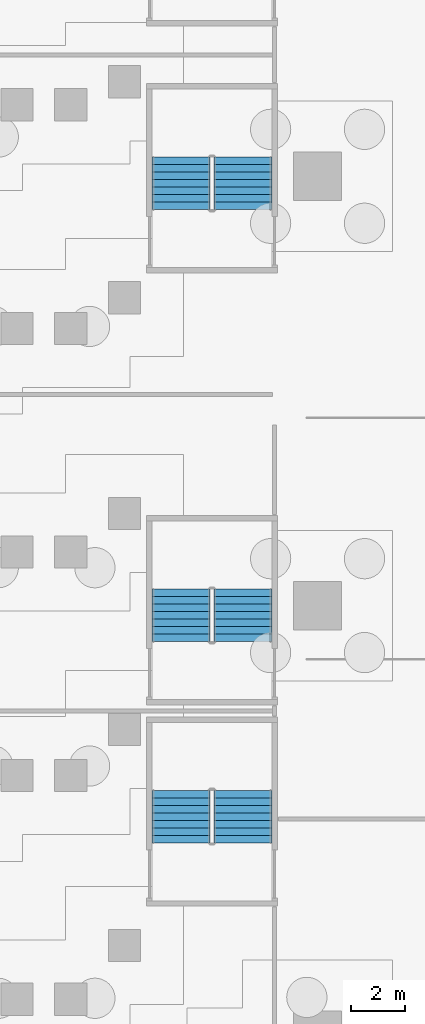
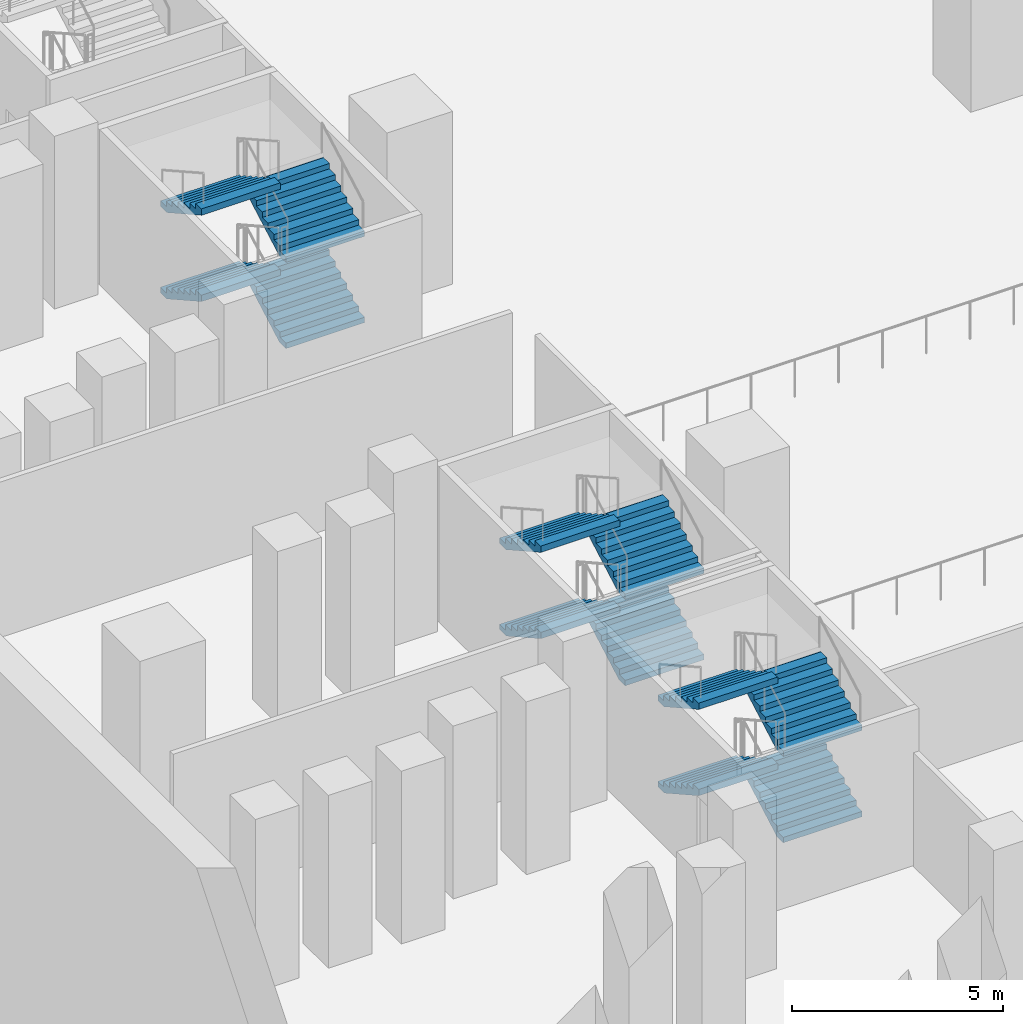
# One storey, part 13 of 27: 12 stair flights, 3 elements without a shape of their own.
"""IFC4 building model written with IfcOpenShell, lengths in metres."""

from ifc_helpers import new_model, si_unit, direction, frame, origin, place, context, subcontext, project, spatial, faceted_brep, source, transform, mapped, material, type_object, element, aggregate, save


model = new_model("IFC4")

# Units and contexts
model_context = context("Model", 3, precision=1e-05, world=origin(), true_north=direction((0.0, 1.0)))
body_context = subcontext(model_context, "Body", "Model", "MODEL_VIEW")
ifc_project = project(units=[si_unit("LENGTHUNIT", "METRE"), si_unit("AREAUNIT", "SQUARE_METRE"), si_unit("VOLUMEUNIT", "CUBIC_METRE"), si_unit("PLANEANGLEUNIT", "RADIAN"), si_unit("MASSUNIT", "GRAM", prefix="KILO")], contexts=[model_context])

# Site, building, storey
site_placement = place(None, origin())
site = spatial("IfcSite", under=ifc_project, at=site_placement, CompositionType="ELEMENT")
building_placement = place(site_placement, origin())
building = spatial("IfcBuilding", under=site, at=building_placement, Name="Calabash Gate Tower", CompositionType="ELEMENT")
storey_placement = place(building_placement, frame((0.0, 0.0, -10.0)))
storey = spatial("IfcBuildingStorey", under=building, at=storey_placement, Name="B2", CompositionType="ELEMENT", Elevation=-10.0)

# Stair, stair flights
ifc_material_1 = material(Name="Concrete C40/50", Category="concrete")
stair_type = type_object("IfcStairType", Name="Public stair 32 risers of 156.2 mm", PredefinedType="HALF_TURN_STAIR", material=ifc_material_1)
stair_1_placement = place(storey_placement, origin())
stair_1 = element("IfcStair", 1, at=stair_1_placement, inside=storey, type_object=stair_type, Name="B2 Public Stair PS1", PredefinedType="HALF_TURN_STAIR")
ifc_material_2 = material(Name="Concrete C40/50", Category="concrete")
stair_flight_type = type_object("IfcStairFlightType", Name="Exit stair flight SFL", PredefinedType="STRAIGHT", material=ifc_material_2)
shared_shape = source(origin(), body_context, "Body", "Brep", [
    faceted_brep([(-0.0009765625, -1.080078125, 0.0), (0.306884765625, -1.080078125, 0.0), (1.9541015625, -1.080078125, 0.921875), (-0.0009765625, 1.080078125, 0.0), (1.9541015625, 1.080078125, 0.921875), (0.306884765625, 1.080078125, 0.0), (1.9541015625, -1.080078125, 1.105712890625), (1.952880859375, -1.080078125, 1.105712890625), (1.952880859375, 1.080078125, 1.105712890625), (1.9541015625, 1.080078125, 1.105712890625), (1.952880859375, -1.080078125, 1.09375), (1.952880859375, 1.080078125, 1.09375), (1.674072265625, -1.080078125, 1.09375), (1.674072265625, 1.080078125, 1.09375), (1.674072265625, -1.080078125, 0.9375), (1.674072265625, 1.080078125, 0.9375), (1.39501953125, -1.080078125, 0.9375), (1.39501953125, 1.080078125, 0.9375), (1.39501953125, -1.080078125, 0.78125), (1.39501953125, 1.080078125, 0.78125), (1.115966796875, -1.080078125, 0.78125), (1.115966796875, -1.080078125, 0.625), (1.115966796875, 1.080078125, 0.625), (1.115966796875, 1.080078125, 0.78125), (0.8369140625, -1.080078125, 0.625), (0.8369140625, -1.080078125, 0.46875), (0.8369140625, 1.080078125, 0.46875), (0.8369140625, 1.080078125, 0.625), (0.55810546875, -1.080078125, 0.46875), (0.55810546875, -1.080078125, 0.3125), (0.55810546875, 1.080078125, 0.3125), (0.55810546875, 1.080078125, 0.46875), (0.279052734375, -1.080078125, 0.3125), (0.279052734375, -1.080078125, 0.15625), (0.279052734375, 1.080078125, 0.15625), (0.279052734375, 1.080078125, 0.3125), (-0.0009765625, -1.080078125, 0.15625), (-0.0009765625, 1.080078125, 0.15625), (0.306884765625, -0.431884765625, 0.0), (1.9541015625, -0.431884765625, 0.921875), (0.306884765625, -0.370361328125, 0.0), (1.9541015625, -0.370361328125, 0.921875), (0.306884765625, -0.30859375, 0.0), (1.9541015625, -0.30859375, 0.921875), (0.306884765625, -0.246826171875, 0.0), (1.9541015625, -0.246826171875, 0.921875), (0.306884765625, -0.18505859375, 0.0), (1.9541015625, -0.18505859375, 0.921875), (0.306884765625, -0.12353515625, 0.0), (1.9541015625, -0.12353515625, 0.921875), (0.306884765625, -0.061767578125, 0.0), (1.9541015625, -0.061767578125, 0.921875), (0.306884765625, 0.0, 0.0), (1.9541015625, 0.0, 0.921875), (0.306884765625, 0.061767578125, 0.0), (1.9541015625, 0.061767578125, 0.921875), (0.306884765625, 0.12353515625, 0.0), (1.9541015625, 0.12353515625, 0.921875), (0.306884765625, 0.18505859375, 0.0), (1.9541015625, 0.18505859375, 0.921875), (0.306884765625, 0.246826171875, 0.0), (1.9541015625, 0.246826171875, 0.921875), (0.306884765625, 0.30859375, 0.0), (1.9541015625, 0.30859375, 0.921875), (0.306884765625, 0.370361328125, 0.0), (1.9541015625, 0.370361328125, 0.921875), (0.306884765625, 0.431884765625, 0.0), (1.9541015625, 0.431884765625, 0.921875), (1.9541015625, -0.431884765625, 1.105712890625), (1.9541015625, -0.370361328125, 1.105712890625), (1.9541015625, -0.30859375, 1.105712890625), (1.9541015625, -0.246826171875, 1.105712890625), (1.9541015625, -0.18505859375, 1.105712890625), (1.9541015625, -0.12353515625, 1.105712890625), (1.9541015625, -0.061767578125, 1.105712890625), (1.9541015625, 0.0, 1.105712890625), (1.9541015625, 0.061767578125, 1.105712890625), (1.9541015625, 0.12353515625, 1.105712890625), (1.9541015625, 0.18505859375, 1.105712890625), (1.9541015625, 0.246826171875, 1.105712890625), (1.9541015625, 0.30859375, 1.105712890625), (1.9541015625, 0.370361328125, 1.105712890625), (1.9541015625, 0.431884765625, 1.105712890625), (1.952880859375, -0.431884765625, 1.105712890625), (1.952880859375, -0.370361328125, 1.105712890625), (1.952880859375, -0.30859375, 1.105712890625), (1.952880859375, -0.246826171875, 1.105712890625), (1.952880859375, -0.18505859375, 1.105712890625), (1.952880859375, -0.12353515625, 1.105712890625), (1.952880859375, -0.061767578125, 1.105712890625), (1.952880859375, 0.0, 1.105712890625), (1.952880859375, 0.061767578125, 1.105712890625), (1.952880859375, 0.12353515625, 1.105712890625), (1.952880859375, 0.18505859375, 1.105712890625), (1.952880859375, 0.246826171875, 1.105712890625), (1.952880859375, 0.30859375, 1.105712890625), (1.952880859375, 0.370361328125, 1.105712890625), (1.952880859375, 0.431884765625, 1.105712890625), (1.952880859375, -0.431884765625, 1.09375), (1.952880859375, -0.370361328125, 1.09375), (1.952880859375, -0.30859375, 1.09375), (1.952880859375, -0.246826171875, 1.09375), (1.952880859375, -0.18505859375, 1.09375), (1.952880859375, -0.12353515625, 1.09375), (1.952880859375, -0.061767578125, 1.09375), (1.952880859375, 0.0, 1.09375), (1.952880859375, 0.061767578125, 1.09375), (1.952880859375, 0.12353515625, 1.09375), (1.952880859375, 0.18505859375, 1.09375), (1.952880859375, 0.246826171875, 1.09375), (1.952880859375, 0.30859375, 1.09375), (1.952880859375, 0.370361328125, 1.09375), (1.952880859375, 0.431884765625, 1.09375), (1.674072265625, -0.431884765625, 1.09375), (1.674072265625, -0.370361328125, 1.09375), (1.674072265625, -0.30859375, 1.09375), (1.674072265625, -0.246826171875, 1.09375), (1.674072265625, -0.18505859375, 1.09375), (1.674072265625, -0.12353515625, 1.09375), (1.674072265625, -0.061767578125, 1.09375), (1.674072265625, 0.0, 1.09375), (1.674072265625, 0.061767578125, 1.09375), (1.674072265625, 0.12353515625, 1.09375), (1.674072265625, 0.18505859375, 1.09375), (1.674072265625, 0.246826171875, 1.09375), (1.674072265625, 0.30859375, 1.09375), (1.674072265625, 0.370361328125, 1.09375), (1.674072265625, 0.431884765625, 1.09375), (1.674072265625, -0.431884765625, 0.9375), (1.674072265625, -0.370361328125, 0.9375), (1.674072265625, -0.30859375, 0.9375), (1.674072265625, -0.246826171875, 0.9375), (1.674072265625, -0.18505859375, 0.9375), (1.674072265625, -0.12353515625, 0.9375), (1.674072265625, -0.061767578125, 0.9375), (1.674072265625, 0.0, 0.9375), (1.674072265625, 0.061767578125, 0.9375), (1.674072265625, 0.12353515625, 0.9375), (1.674072265625, 0.18505859375, 0.9375), (1.674072265625, 0.246826171875, 0.9375), (1.674072265625, 0.30859375, 0.9375), (1.674072265625, 0.370361328125, 0.9375), (1.674072265625, 0.431884765625, 0.9375), (1.39501953125, -0.431884765625, 0.9375), (1.39501953125, -0.370361328125, 0.9375), (1.39501953125, -0.30859375, 0.9375), (1.39501953125, -0.246826171875, 0.9375), (1.39501953125, -0.18505859375, 0.9375), (1.39501953125, -0.12353515625, 0.9375), (1.39501953125, -0.061767578125, 0.9375), (1.39501953125, 0.0, 0.9375), (1.39501953125, 0.061767578125, 0.9375), (1.39501953125, 0.12353515625, 0.9375), (1.39501953125, 0.18505859375, 0.9375), (1.39501953125, 0.246826171875, 0.9375), (1.39501953125, 0.30859375, 0.9375), (1.39501953125, 0.370361328125, 0.9375), (1.39501953125, 0.431884765625, 0.9375), (1.39501953125, -0.431884765625, 0.78125), (1.39501953125, -0.370361328125, 0.78125), (1.39501953125, -0.30859375, 0.78125), (1.39501953125, -0.246826171875, 0.78125), (1.39501953125, -0.18505859375, 0.78125), (1.39501953125, -0.12353515625, 0.78125), (1.39501953125, -0.061767578125, 0.78125), (1.39501953125, 0.0, 0.78125), (1.39501953125, 0.061767578125, 0.78125), (1.39501953125, 0.12353515625, 0.78125), (1.39501953125, 0.18505859375, 0.78125), (1.39501953125, 0.246826171875, 0.78125), (1.39501953125, 0.30859375, 0.78125), (1.39501953125, 0.370361328125, 0.78125), (1.39501953125, 0.431884765625, 0.78125), (1.115966796875, -0.431884765625, 0.78125), (1.115966796875, -0.370361328125, 0.78125), (1.115966796875, -0.30859375, 0.78125), (1.115966796875, -0.246826171875, 0.78125), (1.115966796875, -0.18505859375, 0.78125), (1.115966796875, -0.12353515625, 0.78125), (1.115966796875, -0.061767578125, 0.78125), (1.115966796875, 0.0, 0.78125), (1.115966796875, 0.061767578125, 0.78125), (1.115966796875, 0.12353515625, 0.78125), (1.115966796875, 0.18505859375, 0.78125), (1.115966796875, 0.246826171875, 0.78125), (1.115966796875, 0.30859375, 0.78125), (1.115966796875, 0.370361328125, 0.78125), (1.115966796875, 0.431884765625, 0.78125), (1.115966796875, -0.431884765625, 0.625), (1.115966796875, -0.370361328125, 0.625), (1.115966796875, -0.30859375, 0.625), (1.115966796875, -0.246826171875, 0.625), (1.115966796875, -0.18505859375, 0.625), (1.115966796875, -0.12353515625, 0.625), (1.115966796875, -0.061767578125, 0.625), (1.115966796875, 0.0, 0.625), (1.115966796875, 0.061767578125, 0.625), (1.115966796875, 0.12353515625, 0.625), (1.115966796875, 0.18505859375, 0.625), (1.115966796875, 0.246826171875, 0.625), (1.115966796875, 0.30859375, 0.625), (1.115966796875, 0.370361328125, 0.625), (1.115966796875, 0.431884765625, 0.625), (0.8369140625, -0.431884765625, 0.625), (0.8369140625, -0.370361328125, 0.625), (0.8369140625, -0.30859375, 0.625), (0.8369140625, -0.246826171875, 0.625), (0.8369140625, -0.18505859375, 0.625), (0.8369140625, -0.12353515625, 0.625), (0.8369140625, -0.061767578125, 0.625), (0.8369140625, 0.0, 0.625), (0.8369140625, 0.061767578125, 0.625), (0.8369140625, 0.12353515625, 0.625), (0.8369140625, 0.18505859375, 0.625), (0.8369140625, 0.246826171875, 0.625), (0.8369140625, 0.30859375, 0.625), (0.8369140625, 0.370361328125, 0.625), (0.8369140625, 0.431884765625, 0.625), (0.8369140625, -0.431884765625, 0.46875), (0.8369140625, -0.370361328125, 0.46875), (0.8369140625, -0.30859375, 0.46875), (0.8369140625, -0.246826171875, 0.46875), (0.8369140625, -0.18505859375, 0.46875), (0.8369140625, -0.12353515625, 0.46875), (0.8369140625, -0.061767578125, 0.46875), (0.8369140625, 0.0, 0.46875), (0.8369140625, 0.061767578125, 0.46875), (0.8369140625, 0.12353515625, 0.46875), (0.8369140625, 0.18505859375, 0.46875), (0.8369140625, 0.246826171875, 0.46875), (0.8369140625, 0.30859375, 0.46875), (0.8369140625, 0.370361328125, 0.46875), (0.8369140625, 0.431884765625, 0.46875), (0.55810546875, -0.431884765625, 0.46875), (0.55810546875, -0.370361328125, 0.46875), (0.55810546875, -0.30859375, 0.46875), (0.55810546875, -0.246826171875, 0.46875), (0.55810546875, -0.18505859375, 0.46875), (0.55810546875, -0.12353515625, 0.46875), (0.55810546875, -0.061767578125, 0.46875), (0.55810546875, 0.0, 0.46875), (0.55810546875, 0.061767578125, 0.46875), (0.55810546875, 0.12353515625, 0.46875), (0.55810546875, 0.18505859375, 0.46875), (0.55810546875, 0.246826171875, 0.46875), (0.55810546875, 0.30859375, 0.46875), (0.55810546875, 0.370361328125, 0.46875), (0.55810546875, 0.431884765625, 0.46875), (0.55810546875, -0.431884765625, 0.3125), (0.55810546875, -0.370361328125, 0.3125), (0.55810546875, -0.30859375, 0.3125), (0.55810546875, -0.246826171875, 0.3125), (0.55810546875, -0.18505859375, 0.3125), (0.55810546875, -0.12353515625, 0.3125), (0.55810546875, -0.061767578125, 0.3125), (0.55810546875, 0.0, 0.3125), (0.55810546875, 0.061767578125, 0.3125), (0.55810546875, 0.12353515625, 0.3125), (0.55810546875, 0.18505859375, 0.3125), (0.55810546875, 0.246826171875, 0.3125), (0.55810546875, 0.30859375, 0.3125), (0.55810546875, 0.370361328125, 0.3125), (0.55810546875, 0.431884765625, 0.3125), (0.279052734375, -0.431884765625, 0.3125), (0.279052734375, -0.370361328125, 0.3125), (0.279052734375, -0.30859375, 0.3125), (0.279052734375, -0.246826171875, 0.3125), (0.279052734375, -0.18505859375, 0.3125), (0.279052734375, -0.12353515625, 0.3125), (0.279052734375, -0.061767578125, 0.3125), (0.279052734375, 0.0, 0.3125), (0.279052734375, 0.061767578125, 0.3125), (0.279052734375, 0.12353515625, 0.3125), (0.279052734375, 0.18505859375, 0.3125), (0.279052734375, 0.246826171875, 0.3125), (0.279052734375, 0.30859375, 0.3125), (0.279052734375, 0.370361328125, 0.3125), (0.279052734375, 0.431884765625, 0.3125), (0.279052734375, -0.431884765625, 0.15625), (0.279052734375, -0.370361328125, 0.15625), (0.279052734375, -0.30859375, 0.15625), (0.279052734375, -0.246826171875, 0.15625), (0.279052734375, -0.18505859375, 0.15625), (0.279052734375, -0.12353515625, 0.15625), (0.279052734375, -0.061767578125, 0.15625), (0.279052734375, 0.0, 0.15625), (0.279052734375, 0.061767578125, 0.15625), (0.279052734375, 0.12353515625, 0.15625), (0.279052734375, 0.18505859375, 0.15625), (0.279052734375, 0.246826171875, 0.15625), (0.279052734375, 0.30859375, 0.15625), (0.279052734375, 0.370361328125, 0.15625), (0.279052734375, 0.431884765625, 0.15625), (-0.0009765625, -0.431884765625, 0.15625), (-0.0009765625, -0.370361328125, 0.15625), (-0.0009765625, -0.30859375, 0.15625), (-0.0009765625, -0.246826171875, 0.15625), (-0.0009765625, -0.18505859375, 0.15625), (-0.0009765625, -0.12353515625, 0.15625), (-0.0009765625, -0.061767578125, 0.15625), (-0.0009765625, 0.0, 0.15625), (-0.0009765625, 0.061767578125, 0.15625), (-0.0009765625, 0.12353515625, 0.15625), (-0.0009765625, 0.18505859375, 0.15625), (-0.0009765625, 0.246826171875, 0.15625), (-0.0009765625, 0.30859375, 0.15625), (-0.0009765625, 0.370361328125, 0.15625), (-0.0009765625, 0.431884765625, 0.15625), (-0.0009765625, -0.431884765625, 0.0), (-0.0009765625, -0.370361328125, 0.0), (-0.0009765625, -0.30859375, 0.0), (-0.0009765625, -0.246826171875, 0.0), (-0.0009765625, -0.18505859375, 0.0), (-0.0009765625, -0.12353515625, 0.0), (-0.0009765625, -0.061767578125, 0.0), (-0.0009765625, 0.0, 0.0), (-0.0009765625, 0.061767578125, 0.0), (-0.0009765625, 0.12353515625, 0.0), (-0.0009765625, 0.18505859375, 0.0), (-0.0009765625, 0.246826171875, 0.0), (-0.0009765625, 0.30859375, 0.0), (-0.0009765625, 0.370361328125, 0.0), (-0.0009765625, 0.431884765625, 0.0)], [[[0, 1, 2]], [[3, 4, 5]], [[2, 6, 7]], [[4, 8, 9]], [[2, 7, 10]], [[4, 11, 8]], [[2, 10, 12]], [[4, 13, 11]], [[2, 12, 14]], [[4, 15, 13]], [[2, 14, 16]], [[4, 17, 15]], [[2, 16, 18]], [[4, 19, 17]], [[18, 20, 21]], [[19, 22, 23]], [[2, 18, 21]], [[4, 22, 19]], [[21, 24, 25]], [[22, 26, 27]], [[2, 21, 25]], [[4, 26, 22]], [[25, 28, 29]], [[26, 30, 31]], [[2, 25, 29]], [[4, 30, 26]], [[29, 32, 33]], [[30, 34, 35]], [[2, 29, 33]], [[4, 34, 30]], [[0, 2, 33]], [[3, 34, 4]], [[33, 36, 0]], [[34, 3, 37]], [[1, 38, 2]], [[38, 39, 2]], [[38, 40, 39]], [[40, 41, 39]], [[40, 42, 41]], [[42, 43, 41]], [[42, 44, 43]], [[44, 45, 43]], [[44, 46, 45]], [[46, 47, 45]], [[46, 48, 47]], [[48, 49, 47]], [[48, 50, 49]], [[50, 51, 49]], [[50, 52, 51]], [[52, 53, 51]], [[52, 54, 55]], [[52, 55, 53]], [[54, 56, 57]], [[54, 57, 55]], [[56, 58, 59]], [[56, 59, 57]], [[58, 60, 61]], [[58, 61, 59]], [[60, 62, 63]], [[60, 63, 61]], [[62, 64, 65]], [[62, 65, 63]], [[64, 66, 67]], [[64, 67, 65]], [[66, 5, 4]], [[66, 4, 67]], [[2, 39, 6]], [[39, 68, 6]], [[39, 41, 68]], [[41, 69, 68]], [[41, 43, 69]], [[43, 70, 69]], [[43, 45, 70]], [[45, 71, 70]], [[45, 47, 71]], [[47, 72, 71]], [[47, 49, 72]], [[49, 73, 72]], [[49, 51, 73]], [[51, 74, 73]], [[51, 53, 74]], [[53, 75, 74]], [[53, 55, 76]], [[53, 76, 75]], [[55, 57, 77]], [[55, 77, 76]], [[57, 59, 78]], [[57, 78, 77]], [[59, 61, 79]], [[59, 79, 78]], [[61, 63, 80]], [[61, 80, 79]], [[63, 65, 81]], [[63, 81, 80]], [[65, 67, 82]], [[65, 82, 81]], [[67, 4, 9]], [[67, 9, 82]], [[6, 68, 7]], [[68, 83, 7]], [[68, 69, 83]], [[69, 84, 83]], [[69, 70, 84]], [[70, 85, 84]], [[70, 71, 85]], [[71, 86, 85]], [[71, 72, 86]], [[72, 87, 86]], [[72, 73, 87]], [[73, 88, 87]], [[73, 74, 88]], [[74, 89, 88]], [[74, 75, 89]], [[75, 90, 89]], [[75, 76, 91]], [[75, 91, 90]], [[76, 77, 92]], [[76, 92, 91]], [[77, 78, 93]], [[77, 93, 92]], [[78, 79, 94]], [[78, 94, 93]], [[79, 80, 95]], [[79, 95, 94]], [[80, 81, 96]], [[80, 96, 95]], [[81, 82, 97]], [[81, 97, 96]], [[82, 9, 8]], [[82, 8, 97]], [[7, 83, 10]], [[83, 98, 10]], [[83, 84, 98]], [[84, 99, 98]], [[84, 85, 99]], [[85, 100, 99]], [[85, 86, 100]], [[86, 101, 100]], [[86, 87, 101]], [[87, 102, 101]], [[87, 88, 102]], [[88, 103, 102]], [[88, 89, 103]], [[89, 104, 103]], [[89, 90, 104]], [[90, 105, 104]], [[90, 91, 106]], [[90, 106, 105]], [[91, 92, 107]], [[91, 107, 106]], [[92, 93, 108]], [[92, 108, 107]], [[93, 94, 109]], [[93, 109, 108]], [[94, 95, 110]], [[94, 110, 109]], [[95, 96, 111]], [[95, 111, 110]], [[96, 97, 112]], [[96, 112, 111]], [[97, 8, 11]], [[97, 11, 112]], [[10, 98, 12]], [[98, 113, 12]], [[98, 99, 113]], [[99, 114, 113]], [[99, 100, 114]], [[100, 115, 114]], [[100, 101, 115]], [[101, 116, 115]], [[101, 102, 116]], [[102, 117, 116]], [[102, 103, 117]], [[103, 118, 117]], [[103, 104, 118]], [[104, 119, 118]], [[104, 105, 119]], [[105, 120, 119]], [[105, 106, 121]], [[105, 121, 120]], [[106, 107, 122]], [[106, 122, 121]], [[107, 108, 123]], [[107, 123, 122]], [[108, 109, 124]], [[108, 124, 123]], [[109, 110, 125]], [[109, 125, 124]], [[110, 111, 126]], [[110, 126, 125]], [[111, 112, 127]], [[111, 127, 126]], [[112, 11, 13]], [[112, 13, 127]], [[12, 113, 14]], [[113, 128, 14]], [[113, 114, 128]], [[114, 129, 128]], [[114, 115, 129]], [[115, 130, 129]], [[115, 116, 130]], [[116, 131, 130]], [[116, 117, 131]], [[117, 132, 131]], [[117, 118, 132]], [[118, 133, 132]], [[118, 119, 133]], [[119, 134, 133]], [[119, 120, 134]], [[120, 135, 134]], [[120, 121, 136]], [[120, 136, 135]], [[121, 122, 137]], [[121, 137, 136]], [[122, 123, 138]], [[122, 138, 137]], [[123, 124, 139]], [[123, 139, 138]], [[124, 125, 140]], [[124, 140, 139]], [[125, 126, 141]], [[125, 141, 140]], [[126, 127, 142]], [[126, 142, 141]], [[127, 13, 15]], [[127, 15, 142]], [[14, 128, 16]], [[128, 143, 16]], [[128, 129, 143]], [[129, 144, 143]], [[129, 130, 144]], [[130, 145, 144]], [[130, 131, 145]], [[131, 146, 145]], [[131, 132, 146]], [[132, 147, 146]], [[132, 133, 147]], [[133, 148, 147]], [[133, 134, 148]], [[134, 149, 148]], [[134, 135, 149]], [[135, 150, 149]], [[135, 136, 151]], [[135, 151, 150]], [[136, 137, 152]], [[136, 152, 151]], [[137, 138, 153]], [[137, 153, 152]], [[138, 139, 154]], [[138, 154, 153]], [[139, 140, 155]], [[139, 155, 154]], [[140, 141, 156]], [[140, 156, 155]], [[141, 142, 157]], [[141, 157, 156]], [[142, 15, 17]], [[142, 17, 157]], [[16, 143, 18]], [[143, 158, 18]], [[143, 144, 158]], [[144, 159, 158]], [[144, 145, 159]], [[145, 160, 159]], [[145, 146, 160]], [[146, 161, 160]], [[146, 147, 161]], [[147, 162, 161]], [[147, 148, 162]], [[148, 163, 162]], [[148, 149, 163]], [[149, 164, 163]], [[149, 150, 164]], [[150, 165, 164]], [[150, 151, 166]], [[150, 166, 165]], [[151, 152, 167]], [[151, 167, 166]], [[152, 153, 168]], [[152, 168, 167]], [[153, 154, 169]], [[153, 169, 168]], [[154, 155, 170]], [[154, 170, 169]], [[155, 156, 171]], [[155, 171, 170]], [[156, 157, 172]], [[156, 172, 171]], [[157, 17, 19]], [[157, 19, 172]], [[18, 158, 20]], [[158, 173, 20]], [[158, 159, 173]], [[159, 174, 173]], [[159, 160, 174]], [[160, 175, 174]], [[160, 161, 175]], [[161, 176, 175]], [[161, 162, 176]], [[162, 177, 176]], [[162, 163, 177]], [[163, 178, 177]], [[163, 164, 178]], [[164, 179, 178]], [[164, 165, 179]], [[165, 180, 179]], [[165, 166, 181]], [[165, 181, 180]], [[166, 167, 182]], [[166, 182, 181]], [[167, 168, 183]], [[167, 183, 182]], [[168, 169, 184]], [[168, 184, 183]], [[169, 170, 185]], [[169, 185, 184]], [[170, 171, 186]], [[170, 186, 185]], [[171, 172, 187]], [[171, 187, 186]], [[172, 19, 23]], [[172, 23, 187]], [[20, 173, 21]], [[173, 188, 21]], [[173, 174, 188]], [[174, 189, 188]], [[174, 175, 189]], [[175, 190, 189]], [[175, 176, 190]], [[176, 191, 190]], [[176, 177, 191]], [[177, 192, 191]], [[177, 178, 192]], [[178, 193, 192]], [[178, 179, 193]], [[179, 194, 193]], [[179, 180, 194]], [[180, 195, 194]], [[180, 181, 196]], [[180, 196, 195]], [[181, 182, 197]], [[181, 197, 196]], [[182, 183, 198]], [[182, 198, 197]], [[183, 184, 199]], [[183, 199, 198]], [[184, 185, 200]], [[184, 200, 199]], [[185, 186, 201]], [[185, 201, 200]], [[186, 187, 202]], [[186, 202, 201]], [[187, 23, 22]], [[187, 22, 202]], [[21, 188, 24]], [[188, 203, 24]], [[188, 189, 203]], [[189, 204, 203]], [[189, 190, 204]], [[190, 205, 204]], [[190, 191, 205]], [[191, 206, 205]], [[191, 192, 206]], [[192, 207, 206]], [[192, 193, 207]], [[193, 208, 207]], [[193, 194, 208]], [[194, 209, 208]], [[194, 195, 209]], [[195, 210, 209]], [[195, 196, 211]], [[195, 211, 210]], [[196, 197, 212]], [[196, 212, 211]], [[197, 198, 213]], [[197, 213, 212]], [[198, 199, 214]], [[198, 214, 213]], [[199, 200, 215]], [[199, 215, 214]], [[200, 201, 216]], [[200, 216, 215]], [[201, 202, 217]], [[201, 217, 216]], [[202, 22, 27]], [[202, 27, 217]], [[24, 203, 25]], [[203, 218, 25]], [[203, 204, 218]], [[204, 219, 218]], [[204, 205, 219]], [[205, 220, 219]], [[205, 206, 220]], [[206, 221, 220]], [[206, 207, 221]], [[207, 222, 221]], [[207, 208, 222]], [[208, 223, 222]], [[208, 209, 223]], [[209, 224, 223]], [[209, 210, 224]], [[210, 225, 224]], [[210, 211, 226]], [[210, 226, 225]], [[211, 212, 227]], [[211, 227, 226]], [[212, 213, 228]], [[212, 228, 227]], [[213, 214, 229]], [[213, 229, 228]], [[214, 215, 230]], [[214, 230, 229]], [[215, 216, 231]], [[215, 231, 230]], [[216, 217, 232]], [[216, 232, 231]], [[217, 27, 26]], [[217, 26, 232]], [[25, 218, 28]], [[218, 233, 28]], [[218, 219, 233]], [[219, 234, 233]], [[219, 220, 234]], [[220, 235, 234]], [[220, 221, 235]], [[221, 236, 235]], [[221, 222, 236]], [[222, 237, 236]], [[222, 223, 237]], [[223, 238, 237]], [[223, 224, 238]], [[224, 239, 238]], [[224, 225, 239]], [[225, 240, 239]], [[225, 226, 241]], [[225, 241, 240]], [[226, 227, 242]], [[226, 242, 241]], [[227, 228, 243]], [[227, 243, 242]], [[228, 229, 244]], [[228, 244, 243]], [[229, 230, 245]], [[229, 245, 244]], [[230, 231, 246]], [[230, 246, 245]], [[231, 232, 247]], [[231, 247, 246]], [[232, 26, 31]], [[232, 31, 247]], [[28, 233, 29]], [[233, 248, 29]], [[233, 234, 248]], [[234, 249, 248]], [[234, 235, 249]], [[235, 250, 249]], [[235, 236, 250]], [[236, 251, 250]], [[236, 237, 251]], [[237, 252, 251]], [[237, 238, 252]], [[238, 253, 252]], [[238, 239, 253]], [[239, 254, 253]], [[239, 240, 254]], [[240, 255, 254]], [[240, 241, 256]], [[240, 256, 255]], [[241, 242, 257]], [[241, 257, 256]], [[242, 243, 258]], [[242, 258, 257]], [[243, 244, 259]], [[243, 259, 258]], [[244, 245, 260]], [[244, 260, 259]], [[245, 246, 261]], [[245, 261, 260]], [[246, 247, 262]], [[246, 262, 261]], [[247, 31, 30]], [[247, 30, 262]], [[29, 248, 32]], [[248, 263, 32]], [[248, 249, 263]], [[249, 264, 263]], [[249, 250, 264]], [[250, 265, 264]], [[250, 251, 265]], [[251, 266, 265]], [[251, 252, 266]], [[252, 267, 266]], [[252, 253, 267]], [[253, 268, 267]], [[253, 254, 268]], [[254, 269, 268]], [[254, 255, 269]], [[255, 270, 269]], [[255, 256, 271]], [[255, 271, 270]], [[256, 257, 272]], [[256, 272, 271]], [[257, 258, 273]], [[257, 273, 272]], [[258, 259, 274]], [[258, 274, 273]], [[259, 260, 275]], [[259, 275, 274]], [[260, 261, 276]], [[260, 276, 275]], [[261, 262, 277]], [[261, 277, 276]], [[262, 30, 35]], [[262, 35, 277]], [[32, 263, 33]], [[263, 278, 33]], [[263, 264, 278]], [[264, 279, 278]], [[264, 265, 279]], [[265, 280, 279]], [[265, 266, 280]], [[266, 281, 280]], [[266, 267, 281]], [[267, 282, 281]], [[267, 268, 282]], [[268, 283, 282]], [[268, 269, 283]], [[269, 284, 283]], [[269, 270, 284]], [[270, 285, 284]], [[270, 271, 286]], [[270, 286, 285]], [[271, 272, 287]], [[271, 287, 286]], [[272, 273, 288]], [[272, 288, 287]], [[273, 274, 289]], [[273, 289, 288]], [[274, 275, 290]], [[274, 290, 289]], [[275, 276, 291]], [[275, 291, 290]], [[276, 277, 292]], [[276, 292, 291]], [[277, 35, 34]], [[277, 34, 292]], [[33, 278, 36]], [[278, 293, 36]], [[278, 279, 293]], [[279, 294, 293]], [[279, 280, 294]], [[280, 295, 294]], [[280, 281, 295]], [[281, 296, 295]], [[281, 282, 296]], [[282, 297, 296]], [[282, 283, 297]], [[283, 298, 297]], [[283, 284, 298]], [[284, 299, 298]], [[284, 285, 299]], [[285, 300, 299]], [[285, 286, 301]], [[285, 301, 300]], [[286, 287, 302]], [[286, 302, 301]], [[287, 288, 303]], [[287, 303, 302]], [[288, 289, 304]], [[288, 304, 303]], [[289, 290, 305]], [[289, 305, 304]], [[290, 291, 306]], [[290, 306, 305]], [[291, 292, 307]], [[291, 307, 306]], [[292, 34, 37]], [[292, 37, 307]], [[36, 293, 0]], [[293, 308, 0]], [[293, 294, 308]], [[294, 309, 308]], [[294, 295, 309]], [[295, 310, 309]], [[295, 296, 310]], [[296, 311, 310]], [[296, 297, 311]], [[297, 312, 311]], [[297, 298, 312]], [[298, 313, 312]], [[298, 299, 313]], [[299, 314, 313]], [[299, 300, 314]], [[300, 315, 314]], [[300, 301, 316]], [[300, 316, 315]], [[301, 302, 317]], [[301, 317, 316]], [[302, 303, 318]], [[302, 318, 317]], [[303, 304, 319]], [[303, 319, 318]], [[304, 305, 320]], [[304, 320, 319]], [[305, 306, 321]], [[305, 321, 320]], [[306, 307, 322]], [[306, 322, 321]], [[307, 37, 3]], [[307, 3, 322]], [[0, 308, 1]], [[308, 38, 1]], [[308, 309, 38]], [[309, 40, 38]], [[309, 310, 40]], [[310, 42, 40]], [[310, 311, 42]], [[311, 44, 42]], [[311, 312, 44]], [[312, 46, 44]], [[312, 313, 46]], [[313, 48, 46]], [[313, 314, 48]], [[314, 50, 48]], [[314, 315, 50]], [[315, 52, 50]], [[315, 316, 54]], [[315, 54, 52]], [[316, 317, 56]], [[316, 56, 54]], [[317, 318, 58]], [[317, 58, 56]], [[318, 319, 60]], [[318, 60, 58]], [[319, 320, 62]], [[319, 62, 60]], [[320, 321, 64]], [[320, 64, 62]], [[321, 322, 66]], [[321, 66, 64]], [[322, 3, 5]], [[322, 5, 66]]]),
])
stair_flight_1_placement = place(storey_placement, frame((-34.780029296875, -32.840087890625, 0.0), z_axis=(0.0, 0.0, 1.0), x_axis=(0.0, 1.0, 0.0)))
stair_flight_1 = element("IfcStairFlight", 2, at=stair_flight_1_placement, type_object=stair_flight_type, Name="PS1 flight 1", NumberOfRisers=8, NumberOfTreads=7, PredefinedType="STRAIGHT", RiserHeight=0.15625, TreadLength=0.279, context=body_context, shape_type="MappedRepresentation", body=[
    mapped(shared_shape, transform((0.0, 0.0, 0.0), scale=1.0)),
])
stair_flight_2_placement = place(storey_placement, frame((-37.090087890625, -30.886962890625, 1.25), z_axis=(0.0, 0.0, 1.0), x_axis=(0.0, -1.0, 0.0)))
stair_flight_2 = element("IfcStairFlight", 3, at=stair_flight_2_placement, type_object=stair_flight_type, Name="PS1 flight 2", NumberOfRisers=8, NumberOfTreads=7, PredefinedType="STRAIGHT", RiserHeight=0.15625, TreadLength=0.279, context=body_context, shape_type="MappedRepresentation", body=[
    mapped(shared_shape, transform((0.0, 0.0, 0.0), scale=1.0)),
])
stair_flight_3_placement = place(storey_placement, frame((-34.780029296875, -32.840087890625, 2.5), z_axis=(0.0, 0.0, 1.0), x_axis=(0.0, 1.0, 0.0)))
stair_flight_3 = element("IfcStairFlight", 4, at=stair_flight_3_placement, type_object=stair_flight_type, Name="PS1 flight 3", NumberOfRisers=8, NumberOfTreads=7, PredefinedType="STRAIGHT", RiserHeight=0.15625, TreadLength=0.279, context=body_context, shape_type="MappedRepresentation", body=[
    mapped(shared_shape, transform((0.0, 0.0, 0.0), scale=1.0)),
])
stair_flight_4_placement = place(storey_placement, frame((-37.090087890625, -30.886962890625, 3.75), z_axis=(0.0, 0.0, 1.0), x_axis=(0.0, -1.0, 0.0)))
stair_flight_4 = element("IfcStairFlight", 5, at=stair_flight_4_placement, type_object=stair_flight_type, Name="PS1 flight 4", NumberOfRisers=8, NumberOfTreads=7, PredefinedType="STRAIGHT", RiserHeight=0.15625, TreadLength=0.279, context=body_context, shape_type="MappedRepresentation", body=[
    mapped(shared_shape, transform((0.0, 0.0, 0.0), scale=1.0)),
])
aggregate(stair_1, [stair_flight_1, stair_flight_2, stair_flight_3, stair_flight_4])

stair_2_placement = place(storey_placement, origin())
stair_2 = element("IfcStair", 6, at=stair_2_placement, inside=storey, type_object=stair_type, Name="B2 Public Stair PS2", PredefinedType="HALF_TURN_STAIR")
stair_flight_5_placement = place(storey_placement, frame((-34.780029296875, -25.340087890625, 0.0), z_axis=(0.0, 0.0, 1.0), x_axis=(0.0, 1.0, 0.0)))
stair_flight_5 = element("IfcStairFlight", 7, at=stair_flight_5_placement, type_object=stair_flight_type, Name="PS2 flight 1", NumberOfRisers=8, NumberOfTreads=7, PredefinedType="STRAIGHT", RiserHeight=0.15625, TreadLength=0.279, context=body_context, shape_type="MappedRepresentation", body=[
    mapped(shared_shape, transform((0.0, 0.0, 0.0), scale=1.0)),
])
stair_flight_6_placement = place(storey_placement, frame((-37.090087890625, -23.386962890625, 1.25), z_axis=(0.0, 0.0, 1.0), x_axis=(0.0, -1.0, 0.0)))
stair_flight_6 = element("IfcStairFlight", 8, at=stair_flight_6_placement, type_object=stair_flight_type, Name="PS2 flight 2", NumberOfRisers=8, NumberOfTreads=7, PredefinedType="STRAIGHT", RiserHeight=0.15625, TreadLength=0.279, context=body_context, shape_type="MappedRepresentation", body=[
    mapped(shared_shape, transform((0.0, 0.0, 0.0), scale=1.0)),
])
stair_flight_7_placement = place(storey_placement, frame((-34.780029296875, -25.340087890625, 2.5), z_axis=(0.0, 0.0, 1.0), x_axis=(0.0, 1.0, 0.0)))
stair_flight_7 = element("IfcStairFlight", 9, at=stair_flight_7_placement, type_object=stair_flight_type, Name="PS2 flight 3", NumberOfRisers=8, NumberOfTreads=7, PredefinedType="STRAIGHT", RiserHeight=0.15625, TreadLength=0.279, context=body_context, shape_type="MappedRepresentation", body=[
    mapped(shared_shape, transform((0.0, 0.0, 0.0), scale=1.0)),
])
stair_flight_8_placement = place(storey_placement, frame((-37.090087890625, -23.386962890625, 3.75), z_axis=(0.0, 0.0, 1.0), x_axis=(0.0, -1.0, 0.0)))
stair_flight_8 = element("IfcStairFlight", 10, at=stair_flight_8_placement, type_object=stair_flight_type, Name="PS2 flight 4", NumberOfRisers=8, NumberOfTreads=7, PredefinedType="STRAIGHT", RiserHeight=0.15625, TreadLength=0.279, context=body_context, shape_type="MappedRepresentation", body=[
    mapped(shared_shape, transform((0.0, 0.0, 0.0), scale=1.0)),
])
aggregate(stair_2, [stair_flight_5, stair_flight_6, stair_flight_7, stair_flight_8])

stair_3_placement = place(storey_placement, origin())
stair_3 = element("IfcStair", 11, at=stair_3_placement, inside=storey, type_object=stair_type, Name="B2 Public Stair PS3", PredefinedType="HALF_TURN_STAIR")
stair_flight_9_placement = place(storey_placement, frame((-34.780029296875, -9.239990234375, 0.0), z_axis=(0.0, 0.0, 1.0), x_axis=(0.0, 1.0, 0.0)))
stair_flight_9 = element("IfcStairFlight", 12, at=stair_flight_9_placement, type_object=stair_flight_type, Name="PS3 flight 1", NumberOfRisers=8, NumberOfTreads=7, PredefinedType="STRAIGHT", RiserHeight=0.15625, TreadLength=0.279, context=body_context, shape_type="MappedRepresentation", body=[
    mapped(shared_shape, transform((0.0, 0.0, 0.0), scale=1.0)),
])
stair_flight_10_placement = place(storey_placement, frame((-37.090087890625, -7.287109375, 1.25), z_axis=(0.0, 0.0, 1.0), x_axis=(0.0, -1.0, 0.0)))
stair_flight_10 = element("IfcStairFlight", 13, at=stair_flight_10_placement, type_object=stair_flight_type, Name="PS3 flight 2", NumberOfRisers=8, NumberOfTreads=7, PredefinedType="STRAIGHT", RiserHeight=0.15625, TreadLength=0.279, context=body_context, shape_type="MappedRepresentation", body=[
    mapped(shared_shape, transform((0.0, 0.0, 0.0), scale=1.0)),
])
stair_flight_11_placement = place(storey_placement, frame((-34.780029296875, -9.239990234375, 2.5), z_axis=(0.0, 0.0, 1.0), x_axis=(0.0, 1.0, 0.0)))
stair_flight_11 = element("IfcStairFlight", 14, at=stair_flight_11_placement, type_object=stair_flight_type, Name="PS3 flight 3", NumberOfRisers=8, NumberOfTreads=7, PredefinedType="STRAIGHT", RiserHeight=0.15625, TreadLength=0.279, context=body_context, shape_type="MappedRepresentation", body=[
    mapped(shared_shape, transform((0.0, 0.0, 0.0), scale=1.0)),
])
stair_flight_12_placement = place(storey_placement, frame((-37.090087890625, -7.287109375, 3.75), z_axis=(0.0, 0.0, 1.0), x_axis=(0.0, -1.0, 0.0)))
stair_flight_12 = element("IfcStairFlight", 15, at=stair_flight_12_placement, type_object=stair_flight_type, Name="PS3 flight 4", NumberOfRisers=8, NumberOfTreads=7, PredefinedType="STRAIGHT", RiserHeight=0.15625, TreadLength=0.279, context=body_context, shape_type="MappedRepresentation", body=[
    mapped(shared_shape, transform((0.0, 0.0, 0.0), scale=1.0)),
])
aggregate(stair_3, [stair_flight_9, stair_flight_10, stair_flight_11, stair_flight_12])

save(model, "model.ifc")
